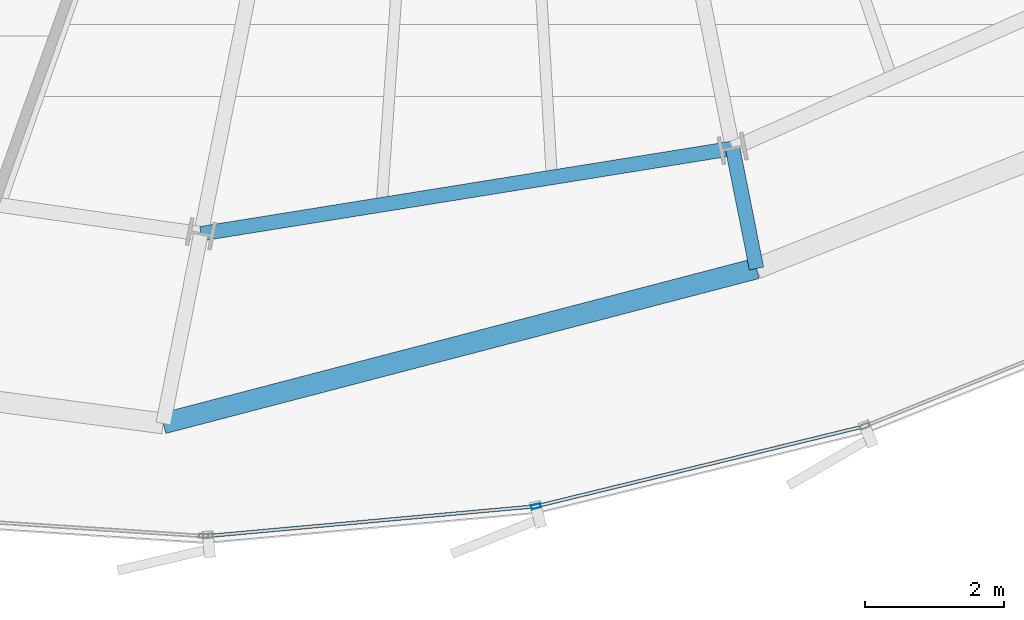
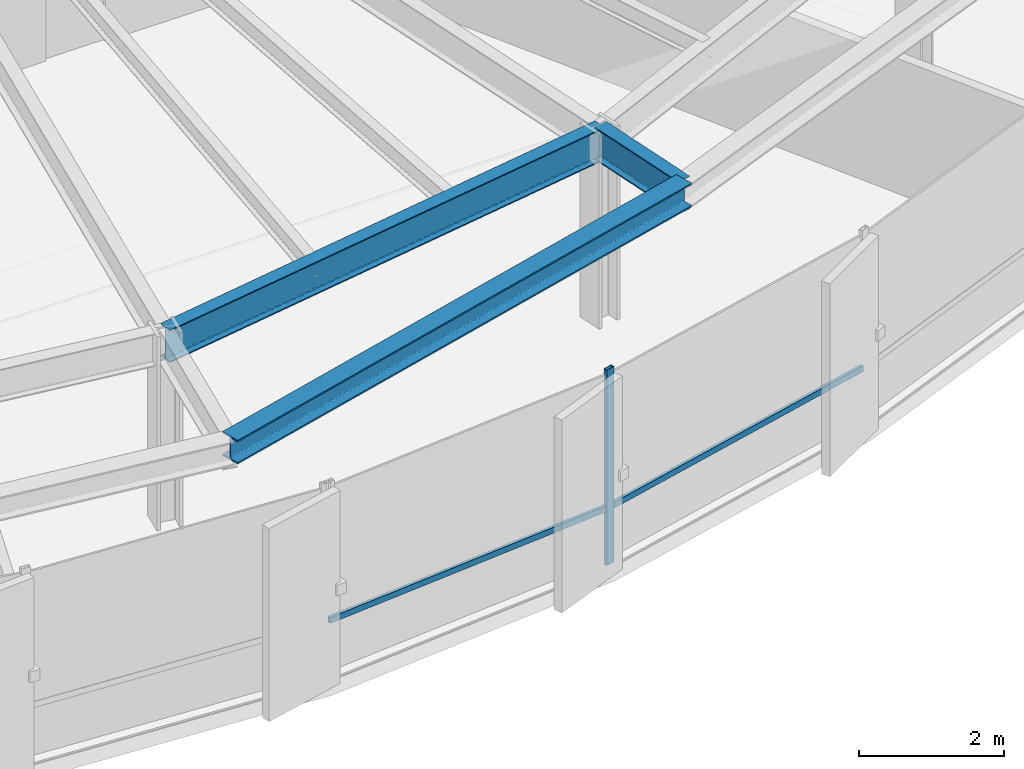
# One storey, part 6 of 35: 3 beams, 3 members, 1 element without a shape of its own.
"""IFC4 building model written with IfcOpenShell, lengths in metres."""

from ifc_helpers import new_model, si_unit, direction, frame, origin, origin_2d, place, context, subcontext, project, spatial, hollow_rectangle, i_section, extrude, source, transform, mapped, material, layer, layer_set, material_profile, profile_set, type_object, element, aggregate, save


model = new_model("IFC4")

# Units and contexts
model_context = context("Model", 3, precision=1e-05, world=origin(), true_north=direction((0.0, 1.0)))
body_context = subcontext(model_context, "Body", "Model", "MODEL_VIEW")
ifc_project = project(units=[si_unit("LENGTHUNIT", "METRE"), si_unit("AREAUNIT", "SQUARE_METRE"), si_unit("VOLUMEUNIT", "CUBIC_METRE"), si_unit("PLANEANGLEUNIT", "RADIAN"), si_unit("MASSUNIT", "GRAM", prefix="KILO"), si_unit("THERMODYNAMICTEMPERATUREUNIT", "KELVIN")], contexts=[model_context])

# Site, building, storey
site_placement = place(None, origin())
site = spatial("IfcSite", under=ifc_project, at=site_placement, CompositionType="ELEMENT")
building_placement = place(site_placement, origin())
building = spatial("IfcBuilding", under=site, at=building_placement, Name="Kethvar Cultural Tower", CompositionType="ELEMENT")
storey_placement = place(building_placement, frame((0.0, 0.0, 139.449951171875)))
storey = spatial("IfcBuildingStorey", under=building, at=storey_placement, Name="L35", CompositionType="ELEMENT", Elevation=139.449951171875)

# Beams
ifc_material_1 = material(Name="Steel S355J2", Category="steel")
ifc_material_profile_1 = material_profile(ifc_material_1, i_section(OverallWidth=0.2099609375, OverallDepth=0.550048828125, WebThickness=0.010986328125, FlangeThickness=0.01708984375, FilletRadius=0.02392578125, at=origin_2d()), Name="Steel S355J2 — IPE550")
ifc_profile_set_1 = profile_set([ifc_material_profile_1], Name="Steel S355J2 — IPE550")
beam_type_1 = type_object("IfcBeamType", Name="BM-IPE550", PredefinedType="BEAM", material=ifc_profile_set_1)
shared_shape_1 = source(origin(), body_context, "Body", "SweptSolid", [
    extrude(i_section(OverallWidth=0.2099609375, OverallDepth=0.550048828125, WebThickness=0.010986328125, FlangeThickness=0.01708984375, FilletRadius=0.02392578125, at=origin_2d()), origin(), (0.0, 0.0, 1.0), 7.749267578125),
])
beam_1_placement = place(storey_placement, frame((42.852294921875, 7.95361328125, 3.02294921875), z_axis=(0.987348257569, 0.158566762831, 0.0), x_axis=(-0.158566762831, 0.987348257569, 0.0)))
element("IfcBeam", 1, at=beam_1_placement, inside=storey, type_object=beam_type_1, Name="L35 Column Ring Tie Beam CR-12", PredefinedType="BEAM", context=body_context, shape_type="MappedRepresentation", body=[
    mapped(shared_shape_1, transform((0.0, 0.0, 0.0), scale=1.0)),
])
shared_shape_2 = source(origin(), body_context, "Body", "SweptSolid", [
    extrude(i_section(OverallWidth=0.2099609375, OverallDepth=0.550048828125, WebThickness=0.010986328125, FlangeThickness=0.01708984375, FilletRadius=0.02392578125, at=origin_2d()), origin(), (0.0, 0.0, 1.0), 1.76220703125),
])
beam_2_placement = place(storey_placement, frame((50.50341796875, 9.182373046875, 3.02294921875), z_axis=(0.195076907971, -0.980787948527, 0.0), x_axis=(0.980787948527, 0.195076907971, 0.0)))
element("IfcBeam", 2, at=beam_2_placement, inside=storey, type_object=beam_type_1, Name="L35 Perimeter Cantilever Beam RC-13", PredefinedType="BEAM", context=body_context, shape_type="MappedRepresentation", body=[
    mapped(shared_shape_2, transform((0.0, 0.0, 0.0), scale=1.0)),
])
ifc_material_profile_2 = material_profile(ifc_material_1, i_section(OverallWidth=0.300048828125, OverallDepth=0.39990234375, WebThickness=0.013427734375, FlangeThickness=0.02392578125, FilletRadius=0.027099609375, at=origin_2d()), Name="Steel S355J2 — HEB400")
ifc_profile_set_2 = profile_set([ifc_material_profile_2], Name="Steel S355J2 — HEB400")
beam_type_2 = type_object("IfcBeamType", Name="BM-SP400", PredefinedType="SPANDREL", material=ifc_profile_set_2)
shared_shape_3 = source(origin(), body_context, "Body", "SweptSolid", [
    extrude(i_section(OverallWidth=0.300048828125, OverallDepth=0.39990234375, WebThickness=0.013427734375, FlangeThickness=0.02392578125, FilletRadius=0.027099609375, at=origin_2d()), origin(), (0.0, 0.0, 1.0), 8.823974609375),
])
beam_3_placement = place(storey_placement, frame((42.3095703125, 5.224609375, 3.09814453125), z_axis=(0.967553776557, 0.252665172649, 0.0), x_axis=(-0.252665172649, 0.967553776557, 0.0)))
element("IfcBeam", 3, at=beam_3_placement, inside=storey, type_object=beam_type_2, Name="L35 Perimeter Spandrel Beam SP-12", PredefinedType="SPANDREL", context=body_context, shape_type="MappedRepresentation", body=[
    mapped(shared_shape_3, transform((0.0, 0.0, 0.0), scale=1.0)),
])

# Curtain wall, members
ifc_material_2 = material(Name="Aluminium 6063-T6", Category="aluminium")
ifc_layer = layer(ifc_material_2, 0.179931640625, Name="Aluminium 6063-T6", Category="aluminium")
ifc_layer_set = layer_set([ifc_layer], Name="Aluminium 6063-T6 (180 mm)")
curtain_wall_type = type_object("IfcCurtainWallType", Name="CW-SYS-04-Z34", PredefinedType="NOTDEFINED", material=ifc_layer_set)
curtain_wall_placement = place(storey_placement, origin())
curtain_wall = element("IfcCurtainWall", 4, at=curtain_wall_placement, inside=storey, type_object=curtain_wall_type, Name="L35 Curtain Wall Run 05", PredefinedType="NOTDEFINED")
ifc_material_profile_3 = material_profile(ifc_material_2, hollow_rectangle(XDim=0.06005859375, YDim=0.139892578125, WallThickness=0.0048828125, at=origin_2d()), Name="Aluminium 6063-T6 — RHS140x60x5")
ifc_profile_set_3 = profile_set([ifc_material_profile_3], Name="Aluminium 6063-T6 — RHS140x60x5")
member_type_1 = type_object("IfcMemberType", Name="CW-SYS-04-Z34-MUL", PredefinedType="MULLION", material=ifc_profile_set_3)
shared_shape_4 = source(origin(), body_context, "Body", "SweptSolid", [
    extrude(hollow_rectangle(XDim=0.06005859375, YDim=0.139892578125, WallThickness=0.0048828125, at=origin_2d()), origin(), (0.0, 0.0, 1.0), 3.300048828125),
])
member_1_placement = place(storey_placement, frame((47.674072265625, 4.03173828125, 0.0), z_axis=(0.0, 0.0, 1.0), x_axis=(-0.237007709767, 0.971507769146, 0.0)))
member_1 = element("IfcMember", 5, at=member_1_placement, type_object=member_type_1, Name="CW-L35-R05 Mullion 2", PredefinedType="MULLION", context=body_context, shape_type="MappedRepresentation", body=[
    mapped(shared_shape_4, transform((0.0, 0.0, 0.0), scale=1.0)),
])
ifc_material_profile_4 = material_profile(ifc_material_2, hollow_rectangle(XDim=0.050048828125, YDim=0.10009765625, WallThickness=0.00390625, at=origin_2d()), Name="Aluminium 6063-T6 — RHS100x50x4")
ifc_profile_set_4 = profile_set([ifc_material_profile_4], Name="Aluminium 6063-T6 — RHS100x50x4")
member_type_2 = type_object("IfcMemberType", Name="CW-SYS-04-Z34-TRN", PredefinedType="USERDEFINED", material=ifc_profile_set_4)
shared_shape_5 = source(origin(), body_context, "Body", "SweptSolid", [
    extrude(hollow_rectangle(XDim=0.050048828125, YDim=0.10009765625, WallThickness=0.00390625, at=origin_2d()), origin(), (0.0, 0.0, 1.0), 4.7080078125),
])
member_2_placement = place(storey_placement, frame((42.95849609375, 3.60546875, 0.949951171875), z_axis=(0.995916127617, 0.090283258432, 0.0), x_axis=(-0.090283258432, 0.995916127617, 0.0)))
member_2 = element("IfcMember", 6, at=member_2_placement, type_object=member_type_2, Name="CW-L35-R05 Transom 1", ObjectType="TRANSOM", PredefinedType="USERDEFINED", context=body_context, shape_type="MappedRepresentation", body=[
    mapped(shared_shape_5, transform((0.0, 0.0, 0.0), scale=1.0)),
])
shared_shape_6 = source(origin(), body_context, "Body", "SweptSolid", [
    extrude(hollow_rectangle(XDim=0.050048828125, YDim=0.10009765625, WallThickness=0.00390625, at=origin_2d()), origin(), (0.0, 0.0, 1.0), 4.80029296875),
])
member_3_placement = place(storey_placement, frame((47.716064453125, 4.0419921875, 0.949951171875), z_axis=(0.971508915079, 0.237003012474, 0.0), x_axis=(-0.237003012474, 0.971508915079, 0.0)))
member_3 = element("IfcMember", 7, at=member_3_placement, type_object=member_type_2, Name="CW-L35-R05 Transom 2", ObjectType="TRANSOM", PredefinedType="USERDEFINED", context=body_context, shape_type="MappedRepresentation", body=[
    mapped(shared_shape_6, transform((0.0, 0.0, 0.0), scale=1.0)),
])
aggregate(curtain_wall, [member_1, member_2, member_3])

save(model, "model.ifc")
